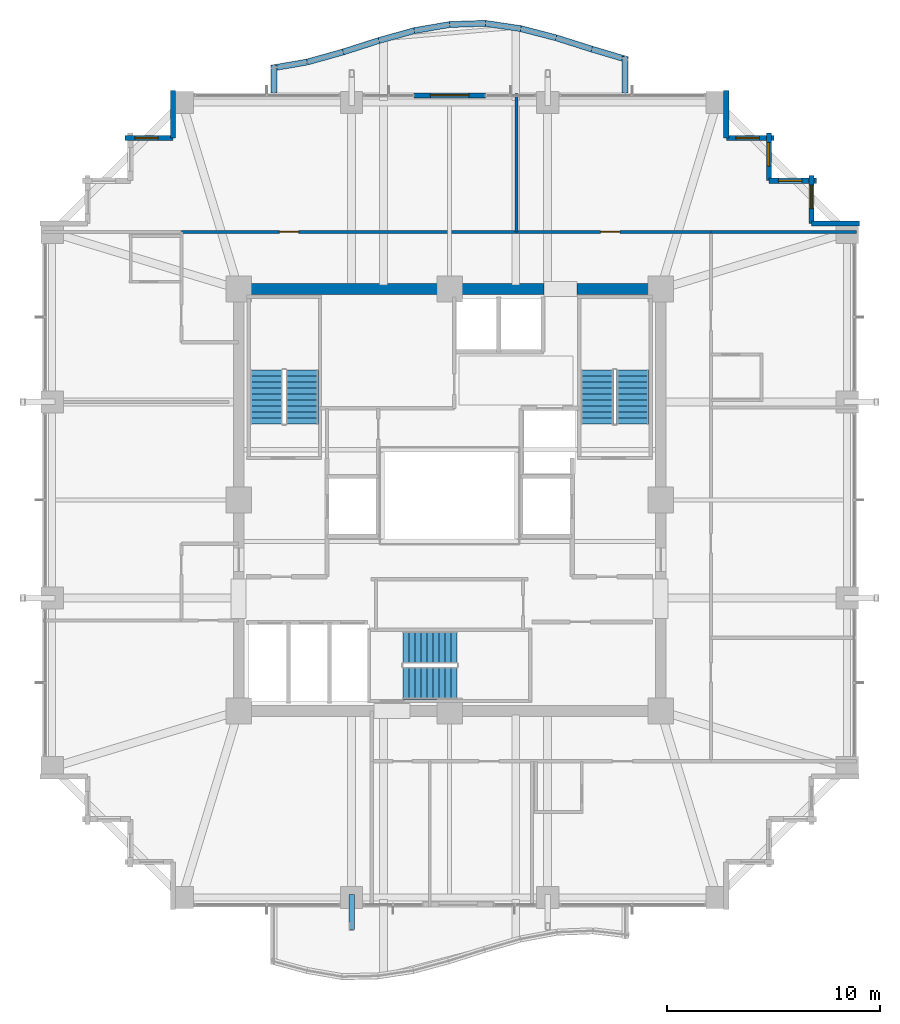
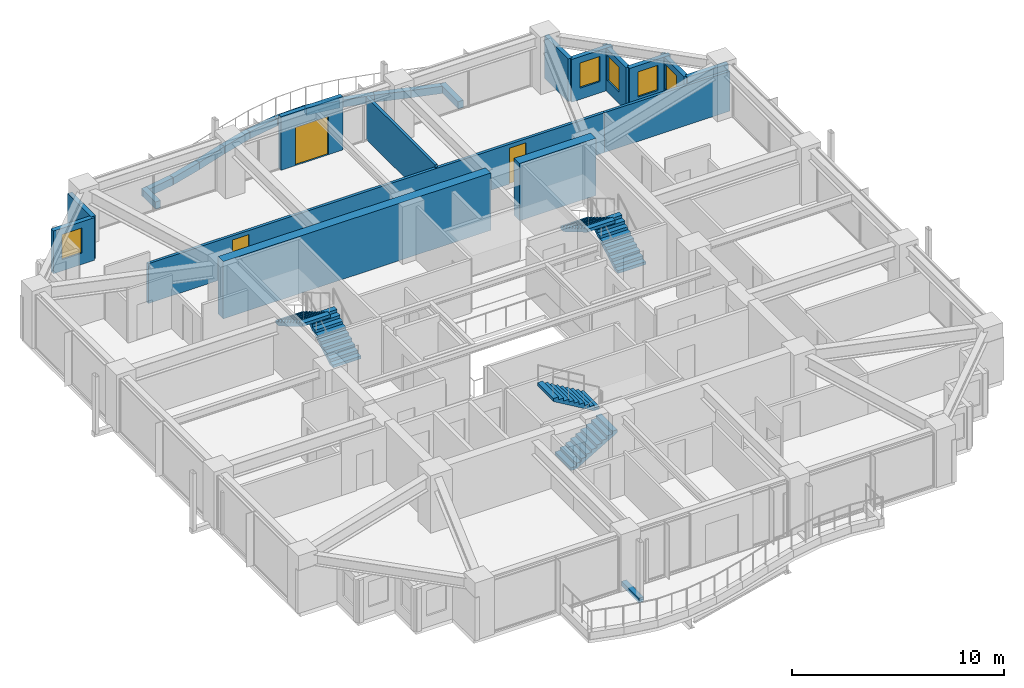
# One storey, part 28 of 31: 26 walls, 6 stair flights, 5 windows, 3 doors, 1 discrete accessory, 8 openings, 3 elements without a shape of their own.
"""IFC4 building model written with IfcOpenShell, lengths in metres."""

from ifc_helpers import new_model, si_unit, direction, frame, frame_2d, origin, origin_2d, place, context, subcontext, project, spatial, polyline, rectangle, outline, extrude, material, layer, layer_set, type_object, element, fill, aggregate, save


model = new_model("IFC4")

# Units and contexts
model_context = context("Model", 3, precision=1e-05, world=origin(), true_north=direction((0.0, 1.0)))
body_context = subcontext(model_context, "Body", "Model", "MODEL_VIEW")
ifc_project = project(units=[si_unit("LENGTHUNIT", "METRE"), si_unit("AREAUNIT", "SQUARE_METRE"), si_unit("VOLUMEUNIT", "CUBIC_METRE"), si_unit("PLANEANGLEUNIT", "RADIAN"), si_unit("MASSUNIT", "GRAM", prefix="KILO")], contexts=[model_context])

# Site, building, storey
site_placement = place(None, origin())
site = spatial("IfcSite", under=ifc_project, at=site_placement, CompositionType="ELEMENT")
building_placement = place(site_placement, origin())
building = spatial("IfcBuilding", under=site, at=building_placement, Name="Kolvaren Belvedere", CompositionType="ELEMENT")
storey_placement = place(building_placement, frame((0.0, 0.0, 118.39990234375)))
storey = spatial("IfcBuildingStorey", under=building, at=storey_placement, Name="L34", CompositionType="ELEMENT", Elevation=118.39990234375)

# Walls
ifc_material_1 = material(Name="Concrete C50/60", Category="concrete")
ifc_layer_1 = layer(ifc_material_1, 0.5)
ifc_layer_set_1 = layer_set([ifc_layer_1], Name="Concrete C50/60")
wall_type_1 = type_object("IfcWallType", Name="CW-CORE-500", PredefinedType="SHEAR", material=ifc_layer_set_1)
wall_1_placement = place(storey_placement, frame((-10.14990234375, 9.89990234375, 0.0), z_axis=(0.0, 0.0, 1.0), x_axis=(1.0, 0.0, 0.0)))
element("IfcWall", 1, at=wall_1_placement, inside=storey, type_object=wall_type_1, Name="L34 North Core Shear Wall 1", PredefinedType="SHEAR", context=body_context, shape_type="SweptSolid", body=[
    extrude(rectangle(XDim=14.56982421875, YDim=0.5, at=frame_2d((7.284912109375, 0.0))), origin(), (0.0, 0.0, 1.0), 3.300048828125),
])
wall_2_placement = place(storey_placement, frame((5.97998046875, 9.89990234375, 0.0), z_axis=(0.0, 0.0, 1.0), x_axis=(1.0, 0.0, 0.0)))
element("IfcWall", 2, at=wall_2_placement, inside=storey, type_object=wall_type_1, Name="L34 North Core Shear Wall 2", PredefinedType="SHEAR", context=body_context, shape_type="SweptSolid", body=[
    extrude(rectangle(XDim=4.169921875, YDim=0.5, at=frame_2d((2.0849609375, 0.0))), origin(), (0.0, 0.0, 1.0), 3.300048828125),
])

# Wall, openings, doors
ifc_material_2 = material(Name="Gypsum fire-rated partition assembly", Category="gypsum")
ifc_layer_2 = layer(ifc_material_2, 0.14990234375)
ifc_layer_set_2 = layer_set([ifc_layer_2], Name="Gypsum fire-rated partition assembly")
wall_type_2 = type_object("IfcWallType", Name="WL-CORR-150", PredefinedType="PARTITIONING", material=ifc_layer_set_2)
wall_3_placement = place(storey_placement, frame((-12.580078125, 12.580078125, 0.0), z_axis=(0.0, 0.0, 1.0), x_axis=(1.0, 0.0, 0.0)))
wall_3 = element("IfcWall", 3, at=wall_3_placement, inside=storey, type_object=wall_type_2, Name="L34 North Corridor Wall", PredefinedType="PARTITIONING", context=body_context, shape_type="SweptSolid", body=[
    extrude(rectangle(XDim=24.840087890625, YDim=0.14990234375, at=frame_2d((12.419921875, 0.0))), origin(), (0.0, 0.0, 1.0), 2.2919921875),
])
opening_1_placement = place(wall_3_placement, frame((4.594970703125, 0.0, 0.0)))
opening_1 = element("IfcOpeningElement", 4, at=opening_1_placement, cuts=wall_3, Name="Opening D-INT90", PredefinedType="OPENING", context=body_context, shape_type="SweptSolid", body=[
    extrude(rectangle(XDim=0.89990234375, YDim=2.06005859375, at=frame_2d((0.449951171875, 1.030029296875))), frame((0.0, 0.0849609375, 0.0), z_axis=(0.0, -1.0, 0.0), x_axis=(1.0, 0.0, 0.0)), (0.0, 0.0, 1.0), 0.169921875),
])
opening_2_placement = place(wall_3_placement, frame((19.6650390625, 0.0, 0.0)))
opening_2 = element("IfcOpeningElement", 5, at=opening_2_placement, cuts=wall_3, Name="Opening D-INT90", PredefinedType="OPENING", context=body_context, shape_type="SweptSolid", body=[
    extrude(rectangle(XDim=0.89990234375, YDim=2.06005859375, at=frame_2d((0.449951171875, 1.030029296875))), frame((0.0, 0.0849609375, 0.0), z_axis=(0.0, -1.0, 0.0), x_axis=(1.0, 0.0, 0.0)), (0.0, 0.0, 1.0), 0.169921875),
])
ifc_material_3 = material(Name="Stained Pacific white oak", Category="timber")
door_type_1 = type_object("IfcDoorType", Name="DR-INT-900", OperationType="NOTDEFINED", PredefinedType="DOOR", material=ifc_material_3)
door_1_placement = place(opening_1_placement, origin())
door_1 = element("IfcDoor", 6, at=door_1_placement, inside=storey, type_object=door_type_1, Name="L34 Lounge 3401 Door", OperationType="SINGLE_SWING_LEFT", OverallHeight=2.06005859375, OverallWidth=0.89990234375, PredefinedType="DOOR", context=body_context, shape_type="SweptSolid", body=[
    extrude(rectangle(XDim=0.89990234375, YDim=2.06005859375, at=frame_2d((0.449951171875, 1.030029296875))), frame((0.0, 0.02490234375, 0.0), z_axis=(0.0, -1.0, 0.0), x_axis=(1.0, 0.0, 0.0)), (0.0, 0.0, 1.0), 0.050048828125),
])
fill(opening_1, door_1)
door_2_placement = place(opening_2_placement, origin())
door_2 = element("IfcDoor", 7, at=door_2_placement, inside=storey, type_object=door_type_1, Name="L34 Guest Tea & Espresso Kitchen 3402 Door", OperationType="SINGLE_SWING_RIGHT", OverallHeight=2.06005859375, OverallWidth=0.89990234375, PredefinedType="DOOR", context=body_context, shape_type="SweptSolid", body=[
    extrude(rectangle(XDim=0.89990234375, YDim=2.06005859375, at=frame_2d((0.449951171875, 1.030029296875))), frame((0.0, 0.02490234375, 0.0), z_axis=(0.0, -1.0, 0.0), x_axis=(1.0, 0.0, 0.0)), (0.0, 0.0, 1.0), 0.050048828125),
])
fill(opening_2, door_2)

# Wall
ifc_material_4 = material(Name="Insulated pale-metal facade wall assembly", Category="aluminium")
ifc_layer_3 = layer(ifc_material_4, 0.239990234375)
ifc_layer_set_3 = layer_set([ifc_layer_3], Name="Insulated pale-metal facade wall assembly")
wall_type_3 = type_object("IfcWallType", Name="WL-EXT-240", PredefinedType="STANDARD", material=ifc_layer_set_3)
wall_4_placement = place(storey_placement, frame((16.97998046875, 12.97998046875, 0.0), z_axis=(0.0, 0.0, 1.0), x_axis=(1.0, 0.0, 0.0)))
element("IfcWall", 8, at=wall_4_placement, inside=storey, type_object=wall_type_3, Name="L34 Serrated Corner Facade Wall 9", PredefinedType="STANDARD", context=body_context, shape_type="SweptSolid", body=[
    extrude(rectangle(XDim=2.239990234375, YDim=0.239990234375, at=frame_2d((1.1201171875, 0.0))), origin(), (0.0, 0.0, 1.0), 2.458984375),
])

# Wall, opening, window
wall_5_placement = place(storey_placement, frame((16.97998046875, 15.219970703125, 0.0), z_axis=(0.0, 0.0, 1.0), x_axis=(0.0, -1.0, 0.0)))
wall_5 = element("IfcWall", 9, at=wall_5_placement, inside=storey, type_object=wall_type_3, Name="L34 Serrated Corner Facade Wall 10", PredefinedType="STANDARD", context=body_context, shape_type="SweptSolid", body=[
    extrude(rectangle(XDim=2.239990234375, YDim=0.239990234375, at=frame_2d((1.1201171875, 0.0))), origin(), (0.0, 0.0, 1.0), 2.458984375),
])
opening_3_placement = place(wall_5_placement, frame((0.449951171875, 0.0, 0.64990234375)))
opening_3 = element("IfcOpeningElement", 10, at=opening_3_placement, cuts=wall_5, Name="Opening W-1100", PredefinedType="OPENING", context=body_context, shape_type="SweptSolid", body=[
    extrude(rectangle(XDim=1.10009765625, YDim=1.449951171875, at=frame_2d((0.550048828125, 0.72509765625))), frame((0.0, 0.1298828125, 0.0), z_axis=(0.0, -1.0, 0.0), x_axis=(1.0, 0.0, 0.0)), (0.0, 0.0, 1.0), 0.260009765625),
])
ifc_material_5 = material(Name="Low-iron triple insulated glass", Category="glass")
window_type = type_object("IfcWindowType", Name="WN-CORN-1100", PartitioningType="SINGLE_PANEL", PredefinedType="WINDOW", material=ifc_material_5)
window_1_placement = place(opening_3_placement, origin())
window_1 = element("IfcWindow", 11, at=window_1_placement, inside=storey, type_object=window_type, Name="L34 Serrated Corner Vision Window 10", OverallHeight=1.449951171875, OverallWidth=1.10009765625, PartitioningType="SINGLE_PANEL", PredefinedType="WINDOW", context=body_context, shape_type="SweptSolid", body=[
    extrude(rectangle(XDim=1.10009765625, YDim=1.449951171875, at=frame_2d((0.550048828125, 0.72509765625))), frame((0.0, 0.030029296875, 0.0), z_axis=(0.0, -1.0, 0.0), x_axis=(1.0, 0.0, 0.0)), (0.0, 0.0, 1.0), 0.06005859375),
])
fill(opening_3, window_1)

wall_6_placement = place(storey_placement, frame((14.97998046875, 14.97998046875, 0.0), z_axis=(0.0, 0.0, 1.0), x_axis=(1.0, 0.0, 0.0)))
wall_6 = element("IfcWall", 12, at=wall_6_placement, inside=storey, type_object=wall_type_3, Name="L34 Serrated Corner Facade Wall 11", PredefinedType="STANDARD", context=body_context, shape_type="SweptSolid", body=[
    extrude(rectangle(XDim=2.239990234375, YDim=0.239990234375, at=frame_2d((1.1201171875, 0.0))), origin(), (0.0, 0.0, 1.0), 2.458984375),
])
opening_4_placement = place(wall_6_placement, frame((0.449951171875, 0.0, 0.64990234375)))
opening_4 = element("IfcOpeningElement", 13, at=opening_4_placement, cuts=wall_6, Name="Opening W-1100", PredefinedType="OPENING", context=body_context, shape_type="SweptSolid", body=[
    extrude(rectangle(XDim=1.10009765625, YDim=1.449951171875, at=frame_2d((0.550048828125, 0.72509765625))), frame((0.0, 0.1298828125, 0.0), z_axis=(0.0, -1.0, 0.0), x_axis=(1.0, 0.0, 0.0)), (0.0, 0.0, 1.0), 0.260009765625),
])
window_2_placement = place(opening_4_placement, origin())
window_2 = element("IfcWindow", 14, at=window_2_placement, inside=storey, type_object=window_type, Name="L34 Serrated Corner Vision Window 11", OverallHeight=1.449951171875, OverallWidth=1.10009765625, PartitioningType="SINGLE_PANEL", PredefinedType="WINDOW", context=body_context, shape_type="SweptSolid", body=[
    extrude(rectangle(XDim=1.10009765625, YDim=1.449951171875, at=frame_2d((0.550048828125, 0.72509765625))), frame((0.0, 0.030029296875, 0.0), z_axis=(0.0, -1.0, 0.0), x_axis=(1.0, 0.0, 0.0)), (0.0, 0.0, 1.0), 0.06005859375),
])
fill(opening_4, window_2)

wall_7_placement = place(storey_placement, frame((14.97998046875, 17.219970703125, 0.0), z_axis=(0.0, 0.0, 1.0), x_axis=(0.0, -1.0, 0.0)))
wall_7 = element("IfcWall", 15, at=wall_7_placement, inside=storey, type_object=wall_type_3, Name="L34 Serrated Corner Facade Wall 12", PredefinedType="STANDARD", context=body_context, shape_type="SweptSolid", body=[
    extrude(rectangle(XDim=2.239990234375, YDim=0.239990234375, at=frame_2d((1.1201171875, 0.0))), origin(), (0.0, 0.0, 1.0), 2.458984375),
])
opening_5_placement = place(wall_7_placement, frame((0.449951171875, 0.0, 0.64990234375)))
opening_5 = element("IfcOpeningElement", 16, at=opening_5_placement, cuts=wall_7, Name="Opening W-1100", PredefinedType="OPENING", context=body_context, shape_type="SweptSolid", body=[
    extrude(rectangle(XDim=1.10009765625, YDim=1.449951171875, at=frame_2d((0.550048828125, 0.72509765625))), frame((0.0, 0.1298828125, 0.0), z_axis=(0.0, -1.0, 0.0), x_axis=(1.0, 0.0, 0.0)), (0.0, 0.0, 1.0), 0.260009765625),
])
window_3_placement = place(opening_5_placement, origin())
window_3 = element("IfcWindow", 17, at=window_3_placement, inside=storey, type_object=window_type, Name="L34 Serrated Corner Vision Window 12", OverallHeight=1.449951171875, OverallWidth=1.10009765625, PartitioningType="SINGLE_PANEL", PredefinedType="WINDOW", context=body_context, shape_type="SweptSolid", body=[
    extrude(rectangle(XDim=1.10009765625, YDim=1.449951171875, at=frame_2d((0.550048828125, 0.72509765625))), frame((0.0, 0.030029296875, 0.0), z_axis=(0.0, -1.0, 0.0), x_axis=(1.0, 0.0, 0.0)), (0.0, 0.0, 1.0), 0.06005859375),
])
fill(opening_5, window_3)

wall_8_placement = place(storey_placement, frame((12.97998046875, 16.97998046875, 0.0), z_axis=(0.0, 0.0, 1.0), x_axis=(1.0, 0.0, 0.0)))
wall_8 = element("IfcWall", 18, at=wall_8_placement, inside=storey, type_object=wall_type_3, Name="L34 Serrated Corner Facade Wall 13", PredefinedType="STANDARD", context=body_context, shape_type="SweptSolid", body=[
    extrude(rectangle(XDim=2.239990234375, YDim=0.239990234375, at=frame_2d((1.1201171875, 0.0))), origin(), (0.0, 0.0, 1.0), 2.458984375),
])
opening_6_placement = place(wall_8_placement, frame((0.449951171875, 0.0, 0.64990234375)))
opening_6 = element("IfcOpeningElement", 19, at=opening_6_placement, cuts=wall_8, Name="Opening W-1100", PredefinedType="OPENING", context=body_context, shape_type="SweptSolid", body=[
    extrude(rectangle(XDim=1.10009765625, YDim=1.449951171875, at=frame_2d((0.550048828125, 0.72509765625))), frame((0.0, 0.1298828125, 0.0), z_axis=(0.0, -1.0, 0.0), x_axis=(1.0, 0.0, 0.0)), (0.0, 0.0, 1.0), 0.260009765625),
])
window_4_placement = place(opening_6_placement, origin())
window_4 = element("IfcWindow", 20, at=window_4_placement, inside=storey, type_object=window_type, Name="L34 Serrated Corner Vision Window 13", OverallHeight=1.449951171875, OverallWidth=1.10009765625, PartitioningType="SINGLE_PANEL", PredefinedType="WINDOW", context=body_context, shape_type="SweptSolid", body=[
    extrude(rectangle(XDim=1.10009765625, YDim=1.449951171875, at=frame_2d((0.550048828125, 0.72509765625))), frame((0.0, 0.030029296875, 0.0), z_axis=(0.0, -1.0, 0.0), x_axis=(1.0, 0.0, 0.0)), (0.0, 0.0, 1.0), 0.06005859375),
])
fill(opening_6, window_4)

# Wall
wall_9_placement = place(storey_placement, frame((12.97998046875, 19.219970703125, 0.0), z_axis=(0.0, 0.0, 1.0), x_axis=(0.0, -1.0, 0.0)))
element("IfcWall", 21, at=wall_9_placement, inside=storey, type_object=wall_type_3, Name="L34 Serrated Corner Facade Wall 14", PredefinedType="STANDARD", context=body_context, shape_type="SweptSolid", body=[
    extrude(rectangle(XDim=2.239990234375, YDim=0.239990234375, at=frame_2d((1.1201171875, 0.0))), origin(), (0.0, 0.0, 1.0), 2.458984375),
])

# Wall, opening, door
wall_10_placement = place(storey_placement, frame((-1.679931640625, 18.97998046875, 0.0), z_axis=(0.0, 0.0, 1.0), x_axis=(1.0, 0.0, 0.0)))
wall_10 = element("IfcWall", 22, at=wall_10_placement, inside=storey, type_object=wall_type_3, Name="L34 North Terrace Portal Wall", PredefinedType="STANDARD", context=body_context, shape_type="SweptSolid", body=[
    extrude(rectangle(XDim=3.35986328125, YDim=0.239990234375, at=frame_2d((1.679931640625, 0.0))), origin(), (0.0, 0.0, 1.0), 3.080078125),
])
opening_7_placement = place(wall_10_placement, frame((0.780029296875, 0.0, 0.0)))
opening_7 = element("IfcOpeningElement", 23, at=opening_7_placement, cuts=wall_10, Name="Opening DB-1800", PredefinedType="OPENING", context=body_context, shape_type="SweptSolid", body=[
    extrude(rectangle(XDim=1.800048828125, YDim=2.199951171875, at=frame_2d((0.89990234375, 1.10009765625))), frame((0.0, 0.1298828125, 0.0), z_axis=(0.0, -1.0, 0.0), x_axis=(1.0, 0.0, 0.0)), (0.0, 0.0, 1.0), 0.260009765625),
])
ifc_material_6 = material(Name="Thermally broken pale-metal aluminium & low-iron glass", Category="aluminium")
door_type_2 = type_object("IfcDoorType", Name="DR-BAL-1800", OperationType="DOUBLE_DOOR_SLIDING", PredefinedType="DOOR", material=ifc_material_6)
door_3_placement = place(opening_7_placement, origin())
door_3 = element("IfcDoor", 24, at=door_3_placement, inside=storey, type_object=door_type_2, Name="L34 North Planted Terrace Sliding Door", OperationType="DOUBLE_DOOR_SLIDING", OverallHeight=2.199951171875, OverallWidth=1.800048828125, PredefinedType="DOOR", context=body_context, shape_type="SweptSolid", body=[
    extrude(rectangle(XDim=1.800048828125, YDim=2.199951171875, at=frame_2d((0.89990234375, 1.10009765625))), frame((0.0, 0.02490234375, 0.0), z_axis=(0.0, -1.0, 0.0), x_axis=(1.0, 0.0, 0.0)), (0.0, 0.0, 1.0), 0.050048828125),
])
fill(opening_7, door_3)

# Wall
wall_11_placement = place(storey_placement, frame((-12.97998046875, 16.97998046875, 0.0), z_axis=(0.0, 0.0, 1.0), x_axis=(0.0, 1.0, 0.0)))
element("IfcWall", 25, at=wall_11_placement, inside=storey, type_object=wall_type_3, Name="L34 Serrated Corner Facade Wall 16", PredefinedType="STANDARD", context=body_context, shape_type="SweptSolid", body=[
    extrude(rectangle(XDim=2.239990234375, YDim=0.239990234375, at=frame_2d((1.1201171875, 0.0))), origin(), (0.0, 0.0, 1.0), 2.458984375),
])

# Wall, opening, window
wall_12_placement = place(storey_placement, frame((-15.219970703125, 16.97998046875, 0.0), z_axis=(0.0, 0.0, 1.0), x_axis=(1.0, 0.0, 0.0)))
wall_12 = element("IfcWall", 26, at=wall_12_placement, inside=storey, type_object=wall_type_3, Name="L34 Serrated Corner Facade Wall 17", PredefinedType="STANDARD", context=body_context, shape_type="SweptSolid", body=[
    extrude(rectangle(XDim=2.239990234375, YDim=0.239990234375, at=frame_2d((1.1201171875, 0.0))), origin(), (0.0, 0.0, 1.0), 2.458984375),
])
opening_8_placement = place(wall_12_placement, frame((0.449951171875, 0.0, 0.64990234375)))
opening_8 = element("IfcOpeningElement", 27, at=opening_8_placement, cuts=wall_12, Name="Opening W-1100", PredefinedType="OPENING", context=body_context, shape_type="SweptSolid", body=[
    extrude(rectangle(XDim=1.10009765625, YDim=1.449951171875, at=frame_2d((0.550048828125, 0.72509765625))), frame((0.0, 0.1298828125, 0.0), z_axis=(0.0, -1.0, 0.0), x_axis=(1.0, 0.0, 0.0)), (0.0, 0.0, 1.0), 0.260009765625),
])
window_5_placement = place(opening_8_placement, origin())
window_5 = element("IfcWindow", 28, at=window_5_placement, inside=storey, type_object=window_type, Name="L34 Serrated Corner Vision Window 17", OverallHeight=1.449951171875, OverallWidth=1.10009765625, PartitioningType="SINGLE_PANEL", PredefinedType="WINDOW", context=body_context, shape_type="SweptSolid", body=[
    extrude(rectangle(XDim=1.10009765625, YDim=1.449951171875, at=frame_2d((0.550048828125, 0.72509765625))), frame((0.0, 0.030029296875, 0.0), z_axis=(0.0, -1.0, 0.0), x_axis=(1.0, 0.0, 0.0)), (0.0, 0.0, 1.0), 0.06005859375),
])
fill(opening_8, window_5)

# Walls
ifc_material_7 = material(Name="Gypsum acoustic partition assembly", Category="gypsum")
ifc_layer_4 = layer(ifc_material_7, 0.14990234375)
ifc_layer_set_4 = layer_set([ifc_layer_4], Name="Gypsum acoustic partition assembly")
wall_type_4 = type_object("IfcWallType", Name="WL-PART-150", PredefinedType="PARTITIONING", material=ifc_layer_set_4)
wall_13_placement = place(storey_placement, frame((12.260009765625, 12.580078125, 0.0), z_axis=(0.0, 0.0, 1.0), x_axis=(1.0, 0.0, 0.0)))
element("IfcWall", 29, at=wall_13_placement, inside=storey, type_object=wall_type_4, Name="L34 Wing Divider PW-L34-QNE", PredefinedType="PARTITIONING", context=body_context, shape_type="SweptSolid", body=[
    extrude(rectangle(XDim=6.820068359375, YDim=0.14990234375, at=frame_2d((3.41015625, 0.0))), origin(), (0.0, 0.0, 1.0), 2.2919921875),
])
wall_14_placement = place(storey_placement, frame((3.14404296875, 12.580078125, 0.0), z_axis=(0.0, 0.0, 1.0), x_axis=(0.0, 1.0, 0.0)))
element("IfcWall", 30, at=wall_14_placement, inside=storey, type_object=wall_type_4, Name="L34 North Suite Demising Wall 1", PredefinedType="PARTITIONING", context=body_context, shape_type="SweptSolid", body=[
    extrude(rectangle(XDim=6.5, YDim=0.14990234375, at=frame_2d((3.25, 0.0))), origin(), (0.0, 0.0, 1.0), 2.44921875),
])
ifc_material_8 = material(Name="Precast concrete C40/50", Category="concrete")
ifc_layer_5 = layer(ifc_material_8, 0.300048828125)
ifc_layer_set_5 = layer_set([ifc_layer_5], Name="Precast concrete C40/50")
wall_type_5 = type_object("IfcWallType", Name="WL-PLANTER-300", PredefinedType="PARAPET", material=ifc_layer_set_5)
wall_15_placement = place(storey_placement, frame((8.239990234375, 19.10009765625, -0.039794921875), z_axis=(0.0, 0.0, 1.0), x_axis=(0.0, 1.0, 0.0)))
element("IfcWall", 31, at=wall_15_placement, inside=storey, type_object=wall_type_5, Name="L34 Precast Structural Planter Wall BAL-N-11", PredefinedType="PARAPET", context=body_context, shape_type="SweptSolid", body=[
    extrude(rectangle(XDim=1.705078125, YDim=0.280029296875, at=frame_2d((0.8525390625, 0.0))), origin(), (0.0, 0.0, 1.0), 0.419921875),
])
wall_16_placement = place(storey_placement, frame((8.3544921875, 20.65185546875, -0.039794921875), z_axis=(0.0, 0.0, 1.0), x_axis=(-0.958574394638, 0.284842289601, 0.0)))
element("IfcWall", 32, at=wall_16_placement, inside=storey, type_object=wall_type_5, Name="L34 Precast Structural Planter Wall BAL-N-12", PredefinedType="PARAPET", context=body_context, shape_type="SweptSolid", body=[
    extrude(rectangle(XDim=1.752685546875, YDim=0.280029296875, at=frame_2d((0.87646484375, 0.0))), origin(), (0.0, 0.0, 1.0), 0.419921875),
])
wall_17_placement = place(storey_placement, frame((6.671630859375, 21.152099609375, -0.039794921875), z_axis=(0.0, 0.0, 1.0), x_axis=(-0.953181954832, 0.302397356111, 0.0)))
element("IfcWall", 33, at=wall_17_placement, inside=storey, type_object=wall_type_5, Name="L34 Precast Structural Planter Wall BAL-N-13", PredefinedType="PARAPET", context=body_context, shape_type="SweptSolid", body=[
    extrude(rectangle(XDim=1.762451171875, YDim=0.280029296875, at=frame_2d((0.88134765625, 0.0))), origin(), (0.0, 0.0, 1.0), 0.419921875),
])
wall_18_placement = place(storey_placement, frame((5.0, 21.6826171875, -0.039794921875), z_axis=(0.0, 0.0, 1.0), x_axis=(-0.968141031826, 0.250405556038, 0.0)))
element("IfcWall", 34, at=wall_18_placement, inside=storey, type_object=wall_type_5, Name="L34 Precast Structural Planter Wall BAL-N-14", PredefinedType="PARAPET", context=body_context, shape_type="SweptSolid", body=[
    extrude(rectangle(XDim=1.7353515625, YDim=0.280029296875, at=frame_2d((0.86767578125, 0.0))), origin(), (0.0, 0.0, 1.0), 0.419921875),
])
wall_19_placement = place(storey_placement, frame((3.336669921875, 22.114013671875, -0.039794921875), z_axis=(0.0, 0.0, 1.0), x_axis=(-0.989295127716, 0.145928579368, 0.0)))
element("IfcWall", 35, at=wall_19_placement, inside=storey, type_object=wall_type_5, Name="L34 Precast Structural Planter Wall BAL-N-15", PredefinedType="PARAPET", context=body_context, shape_type="SweptSolid", body=[
    extrude(rectangle(XDim=1.697998046875, YDim=0.280029296875, at=frame_2d((0.84912109375, 0.0))), origin(), (0.0, 0.0, 1.0), 0.419921875),
])
wall_20_placement = place(storey_placement, frame((1.68505859375, 22.360107421875, -0.039794921875), z_axis=(0.0, 0.0, 1.0), x_axis=(-0.999503251643, -0.031515868295, 0.0)))
element("IfcWall", 36, at=wall_20_placement, inside=storey, type_object=wall_type_5, Name="L34 Precast Structural Planter Wall BAL-N-16", PredefinedType="PARAPET", context=body_context, shape_type="SweptSolid", body=[
    extrude(rectangle(XDim=1.680908203125, YDim=0.280029296875, at=frame_2d((0.84033203125, 0.0))), origin(), (0.0, 0.0, 1.0), 0.419921875),
])
wall_21_placement = place(storey_placement, frame((0.027099609375, 22.309326171875, -0.039794921875), z_axis=(0.0, 0.0, 1.0), x_axis=(-0.985640648378, -0.168856484225, 0.0)))
element("IfcWall", 37, at=wall_21_placement, inside=storey, type_object=wall_type_5, Name="L34 Precast Structural Planter Wall BAL-N-17", PredefinedType="PARAPET", context=body_context, shape_type="SweptSolid", body=[
    extrude(rectangle(XDim=1.70458984375, YDim=0.280029296875, at=frame_2d((0.852294921875, 0.0))), origin(), (0.0, 0.0, 1.0), 0.419921875),
])
wall_22_placement = place(storey_placement, frame((-1.63671875, 22.025146484375, -0.039794921875), z_axis=(0.0, 0.0, 1.0), x_axis=(-0.962926227834, -0.269764860108, 0.0)))
element("IfcWall", 38, at=wall_22_placement, inside=storey, type_object=wall_type_5, Name="L34 Precast Structural Planter Wall BAL-N-18", PredefinedType="PARAPET", context=body_context, shape_type="SweptSolid", body=[
    extrude(rectangle(XDim=1.744873046875, YDim=0.280029296875, at=frame_2d((0.87255859375, 0.0))), origin(), (0.0, 0.0, 1.0), 0.419921875),
])
wall_23_placement = place(storey_placement, frame((-3.311279296875, 21.55615234375, -0.039794921875), z_axis=(0.0, 0.0, 1.0), x_axis=(-0.952501264923, -0.304534629099, 0.0)))
element("IfcWall", 39, at=wall_23_placement, inside=storey, type_object=wall_type_5, Name="L34 Precast Structural Planter Wall BAL-N-19", PredefinedType="PARAPET", context=body_context, shape_type="SweptSolid", body=[
    extrude(rectangle(XDim=1.763671875, YDim=0.280029296875, at=frame_2d((0.8818359375, 0.0))), origin(), (0.0, 0.0, 1.0), 0.419921875),
])
wall_24_placement = place(storey_placement, frame((-4.996826171875, 21.017333984375, -0.039794921875), z_axis=(0.0, 0.0, 1.0), x_axis=(-0.962916043401, -0.269801210823, 0.0)))
element("IfcWall", 40, at=wall_24_placement, inside=storey, type_object=wall_type_5, Name="L34 Precast Structural Planter Wall BAL-N-20", PredefinedType="PARAPET", context=body_context, shape_type="SweptSolid", body=[
    extrude(rectangle(XDim=1.74462890625, YDim=0.280029296875, at=frame_2d((0.872314453125, 0.0))), origin(), (0.0, 0.0, 1.0), 0.419921875),
])
wall_25_placement = place(storey_placement, frame((-6.693115234375, 20.54296875, -0.039794921875), z_axis=(0.0, 0.0, 1.0), x_axis=(-0.985636563949, -0.16888032392, 0.0)))
element("IfcWall", 41, at=wall_25_placement, inside=storey, type_object=wall_type_5, Name="L34 Precast Structural Planter Wall BAL-N-21", PredefinedType="PARAPET", context=body_context, shape_type="SweptSolid", body=[
    extrude(rectangle(XDim=1.704345703125, YDim=0.280029296875, at=frame_2d((0.85205078125, 0.0))), origin(), (0.0, 0.0, 1.0), 0.419921875),
])
wall_26_placement = place(storey_placement, frame((-8.239990234375, 20.412841796875, -0.039794921875), z_axis=(0.0, 0.0, 1.0), x_axis=(0.0, -1.0, 0.0)))
element("IfcWall", 42, at=wall_26_placement, inside=storey, type_object=wall_type_5, Name="L34 Precast Structural Planter Wall BAL-N-22", PredefinedType="PARAPET", context=body_context, shape_type="SweptSolid", body=[
    extrude(rectangle(XDim=1.312744140625, YDim=0.280029296875, at=frame_2d((0.65625, 0.0))), origin(), (0.0, 0.0, 1.0), 0.419921875),
])

# Stair, stair flights
ifc_material_9 = material(Name="Concrete C50/60", Category="concrete")
stair_type = type_object("IfcStairType", Name="ST-CORE-1520", PredefinedType="HALF_TURN_STAIR", material=ifc_material_9)
stair_1_placement = place(storey_placement, origin())
stair_1 = element("IfcStair", 43, at=stair_1_placement, inside=storey, type_object=stair_type, Name="L34 Protected Exit Stair ST-1", PredefinedType="HALF_TURN_STAIR")
ifc_material_10 = material(Name="Concrete C50/60", Category="concrete")
stair_flight_type = type_object("IfcStairFlightType", Name="SF-STR-1520", PredefinedType="STRAIGHT", material=ifc_material_10)
stair_flight_1_placement = place(storey_placement, frame((-6.919921875, 3.570068359375, 0.0), z_axis=(0.0, 0.0, 1.0), x_axis=(0.0, 1.0, 0.0)))
stair_flight_1 = element("IfcStairFlight", 44, at=stair_flight_1_placement, type_object=stair_flight_type, Name="ST-1 flight 1", NumberOfRisers=10, NumberOfTreads=9, PredefinedType="STRAIGHT", RiserHeight=0.165, TreadLength=0.28, context=body_context, shape_type="SweptSolid", body=[
    extrude(outline(polyline([(0.0, 0.0), (0.0, 0.1650390625), (0.280029296875, 0.1650390625), (0.280029296875, 0.330078125), (0.56005859375, 0.330078125), (0.56005859375, 0.4951171875), (0.840087890625, 0.4951171875), (0.840087890625, 0.659912109375), (1.1201171875, 0.659912109375), (1.1201171875, 0.824951171875), (1.39990234375, 0.824951171875), (1.39990234375, 0.989990234375), (1.679931640625, 0.989990234375), (1.679931640625, 1.155029296875), (1.9599609375, 1.155029296875), (1.9599609375, 1.320068359375), (2.239990234375, 1.320068359375), (2.239990234375, 1.485107421875), (2.52001953125, 1.485107421875), (2.52001953125, 1.64990234375), (2.52001953125, 1.31103515625), (0.295166015625, 0.0), (0.0, 0.0)])), frame((0.0, 0.760009765625, 0.0), z_axis=(0.0, -1.0, 0.0), x_axis=(1.0, 0.0, 0.0)), (0.0, 0.0, 1.0), 1.52001953125),
])
stair_flight_2_placement = place(storey_placement, frame((-8.590087890625, 6.090087890625, 1.650146484375), z_axis=(0.0, 0.0, 1.0), x_axis=(0.0, -1.0, 0.0)))
stair_flight_2 = element("IfcStairFlight", 45, at=stair_flight_2_placement, type_object=stair_flight_type, Name="ST-1 flight 2", NumberOfRisers=10, NumberOfTreads=9, PredefinedType="STRAIGHT", RiserHeight=0.165, TreadLength=0.28, context=body_context, shape_type="SweptSolid", body=[
    extrude(outline(polyline([(0.0, 0.0), (0.0, 0.1650390625), (0.280029296875, 0.1650390625), (0.280029296875, 0.330078125), (0.56005859375, 0.330078125), (0.56005859375, 0.4951171875), (0.840087890625, 0.4951171875), (0.840087890625, 0.659912109375), (1.1201171875, 0.659912109375), (1.1201171875, 0.824951171875), (1.39990234375, 0.824951171875), (1.39990234375, 0.989990234375), (1.679931640625, 0.989990234375), (1.679931640625, 1.155029296875), (1.9599609375, 1.155029296875), (1.9599609375, 1.320068359375), (2.239990234375, 1.320068359375), (2.239990234375, 1.485107421875), (2.52001953125, 1.485107421875), (2.52001953125, 1.64990234375), (2.52001953125, 1.31103515625), (0.295166015625, 0.0), (0.0, 0.0)])), frame((0.0, 0.760009765625, 0.0), z_axis=(0.0, -1.0, 0.0), x_axis=(1.0, 0.0, 0.0)), (0.0, 0.0, 1.0), 1.52001953125),
])
aggregate(stair_1, [stair_flight_1, stair_flight_2])

stair_2_placement = place(storey_placement, origin())
stair_2 = element("IfcStair", 46, at=stair_2_placement, inside=storey, type_object=stair_type, Name="L34 Protected Exit Stair ST-2", PredefinedType="HALF_TURN_STAIR")
stair_flight_3_placement = place(storey_placement, frame((8.590087890625, 3.570068359375, 0.0), z_axis=(0.0, 0.0, 1.0), x_axis=(0.0, 1.0, 0.0)))
stair_flight_3 = element("IfcStairFlight", 47, at=stair_flight_3_placement, type_object=stair_flight_type, Name="ST-2 flight 1", NumberOfRisers=10, NumberOfTreads=9, PredefinedType="STRAIGHT", RiserHeight=0.165, TreadLength=0.28, context=body_context, shape_type="SweptSolid", body=[
    extrude(outline(polyline([(0.0, 0.0), (0.0, 0.1650390625), (0.280029296875, 0.1650390625), (0.280029296875, 0.330078125), (0.56005859375, 0.330078125), (0.56005859375, 0.4951171875), (0.840087890625, 0.4951171875), (0.840087890625, 0.659912109375), (1.1201171875, 0.659912109375), (1.1201171875, 0.824951171875), (1.39990234375, 0.824951171875), (1.39990234375, 0.989990234375), (1.679931640625, 0.989990234375), (1.679931640625, 1.155029296875), (1.9599609375, 1.155029296875), (1.9599609375, 1.320068359375), (2.239990234375, 1.320068359375), (2.239990234375, 1.485107421875), (2.52001953125, 1.485107421875), (2.52001953125, 1.64990234375), (2.52001953125, 1.31103515625), (0.295166015625, 0.0), (0.0, 0.0)])), frame((0.0, 0.760009765625, 0.0), z_axis=(0.0, -1.0, 0.0), x_axis=(1.0, 0.0, 0.0)), (0.0, 0.0, 1.0), 1.52001953125),
])
stair_flight_4_placement = place(storey_placement, frame((6.919921875, 6.090087890625, 1.650146484375), z_axis=(0.0, 0.0, 1.0), x_axis=(0.0, -1.0, 0.0)))
stair_flight_4 = element("IfcStairFlight", 48, at=stair_flight_4_placement, type_object=stair_flight_type, Name="ST-2 flight 2", NumberOfRisers=10, NumberOfTreads=9, PredefinedType="STRAIGHT", RiserHeight=0.165, TreadLength=0.28, context=body_context, shape_type="SweptSolid", body=[
    extrude(outline(polyline([(0.0, 0.0), (0.0, 0.1650390625), (0.280029296875, 0.1650390625), (0.280029296875, 0.330078125), (0.56005859375, 0.330078125), (0.56005859375, 0.4951171875), (0.840087890625, 0.4951171875), (0.840087890625, 0.659912109375), (1.1201171875, 0.659912109375), (1.1201171875, 0.824951171875), (1.39990234375, 0.824951171875), (1.39990234375, 0.989990234375), (1.679931640625, 0.989990234375), (1.679931640625, 1.155029296875), (1.9599609375, 1.155029296875), (1.9599609375, 1.320068359375), (2.239990234375, 1.320068359375), (2.239990234375, 1.485107421875), (2.52001953125, 1.485107421875), (2.52001953125, 1.64990234375), (2.52001953125, 1.31103515625), (0.295166015625, 0.0), (0.0, 0.0)])), frame((0.0, 0.760009765625, 0.0), z_axis=(0.0, -1.0, 0.0), x_axis=(1.0, 0.0, 0.0)), (0.0, 0.0, 1.0), 1.52001953125),
])
aggregate(stair_2, [stair_flight_3, stair_flight_4])

stair_3_placement = place(storey_placement, origin())
stair_3 = element("IfcStair", 49, at=stair_3_placement, inside=storey, type_object=stair_type, Name="L34 Protected Exit Stair ST-3", PredefinedType="HALF_TURN_STAIR")
stair_flight_5_placement = place(storey_placement, frame((-2.179931640625, -8.590087890625, 0.0), z_axis=(0.0, 0.0, 1.0), x_axis=(1.0, 0.0, 0.0)))
stair_flight_5 = element("IfcStairFlight", 50, at=stair_flight_5_placement, type_object=stair_flight_type, Name="ST-3 flight 1", NumberOfRisers=10, NumberOfTreads=9, PredefinedType="STRAIGHT", RiserHeight=0.165, TreadLength=0.28, context=body_context, shape_type="SweptSolid", body=[
    extrude(outline(polyline([(0.0, 0.0), (0.0, 0.1650390625), (0.280029296875, 0.1650390625), (0.280029296875, 0.330078125), (0.56005859375, 0.330078125), (0.56005859375, 0.4951171875), (0.840087890625, 0.4951171875), (0.840087890625, 0.659912109375), (1.1201171875, 0.659912109375), (1.1201171875, 0.824951171875), (1.39990234375, 0.824951171875), (1.39990234375, 0.989990234375), (1.679931640625, 0.989990234375), (1.679931640625, 1.155029296875), (1.9599609375, 1.155029296875), (1.9599609375, 1.320068359375), (2.239990234375, 1.320068359375), (2.239990234375, 1.485107421875), (2.52001953125, 1.485107421875), (2.52001953125, 1.64990234375), (2.52001953125, 1.31103515625), (0.295166015625, 0.0), (0.0, 0.0)])), frame((0.0, 0.760009765625, 0.0), z_axis=(0.0, -1.0, 0.0), x_axis=(1.0, 0.0, 0.0)), (0.0, 0.0, 1.0), 1.52001953125),
])
stair_flight_6_placement = place(storey_placement, frame((0.340087890625, -6.919921875, 1.650146484375), z_axis=(0.0, 0.0, 1.0), x_axis=(-1.0, 0.0, 0.0)))
stair_flight_6 = element("IfcStairFlight", 51, at=stair_flight_6_placement, type_object=stair_flight_type, Name="ST-3 flight 2", NumberOfRisers=10, NumberOfTreads=9, PredefinedType="STRAIGHT", RiserHeight=0.165, TreadLength=0.28, context=body_context, shape_type="SweptSolid", body=[
    extrude(outline(polyline([(0.0, 0.0), (0.0, 0.1650390625), (0.280029296875, 0.1650390625), (0.280029296875, 0.330078125), (0.56005859375, 0.330078125), (0.56005859375, 0.4951171875), (0.840087890625, 0.4951171875), (0.840087890625, 0.659912109375), (1.1201171875, 0.659912109375), (1.1201171875, 0.824951171875), (1.39990234375, 0.824951171875), (1.39990234375, 0.989990234375), (1.679931640625, 0.989990234375), (1.679931640625, 1.155029296875), (1.9599609375, 1.155029296875), (1.9599609375, 1.320068359375), (2.239990234375, 1.320068359375), (2.239990234375, 1.485107421875), (2.52001953125, 1.485107421875), (2.52001953125, 1.64990234375), (2.52001953125, 1.31103515625), (0.295166015625, 0.0), (0.0, 0.0)])), frame((0.0, 0.760009765625, 0.0), z_axis=(0.0, -1.0, 0.0), x_axis=(1.0, 0.0, 0.0)), (0.0, 0.0, 1.0), 1.52001953125),
])
aggregate(stair_3, [stair_flight_5, stair_flight_6])

# Discrete accessory
ifc_material_11 = material(Name="Structural steel ASTM A572 Grade 50", Category="steel")
discrete_accessory_type = type_object("IfcDiscreteAccessoryType", Name="BRK-1 Steel Facade Support Bracket", PredefinedType="BRACKET", material=ifc_material_11)
discrete_accessory_placement = place(storey_placement, frame((-4.60009765625, -19.3349609375, -0.169921875), z_axis=(0.0, 0.0, 1.0), x_axis=(0.0, 1.0, 0.0)))
element("IfcDiscreteAccessory", 52, at=discrete_accessory_placement, inside=storey, type_object=discrete_accessory_type, Name="L34 Picture-Frame Outrigger Cleat Bracket S2", PredefinedType="BRACKET", context=body_context, shape_type="SweptSolid", body=[
    extrude(rectangle(XDim=1.639892578125, YDim=0.260009765625, at=origin_2d()), origin(), (0.0, 0.0, 1.0), 0.260009765625),
])

save(model, "model.ifc")
